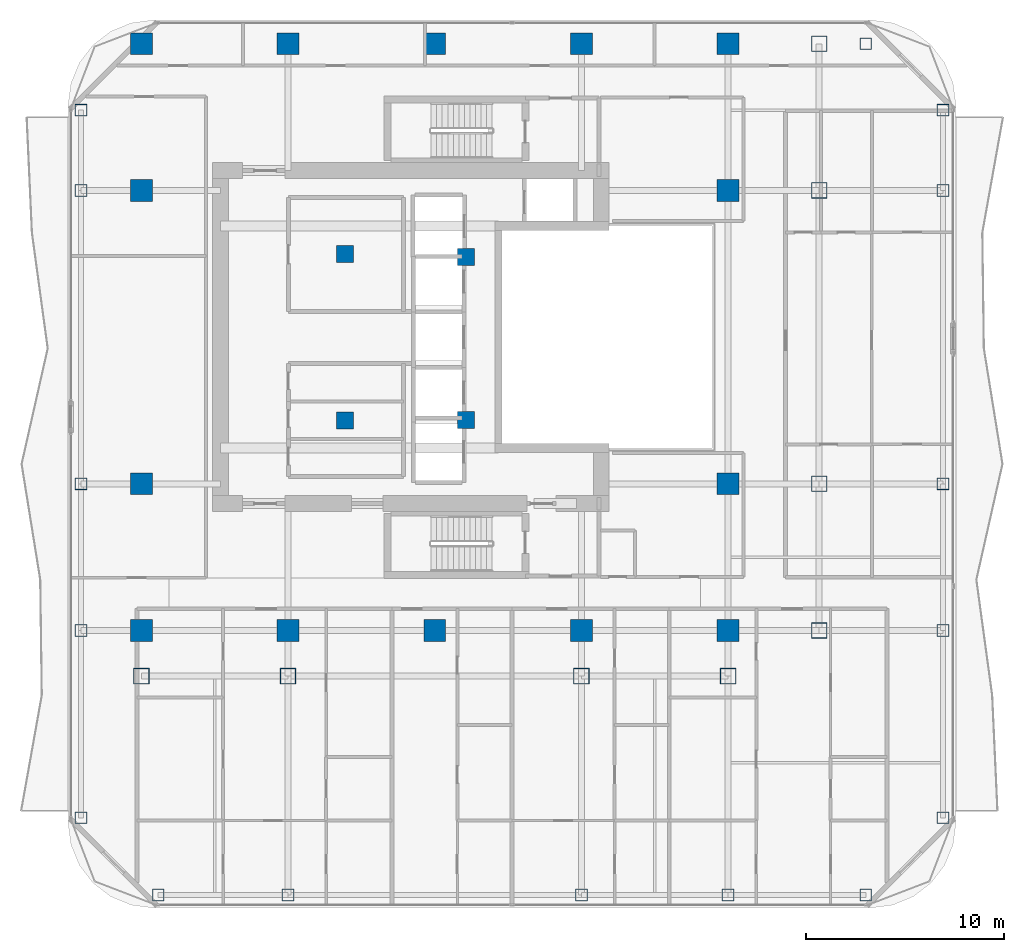
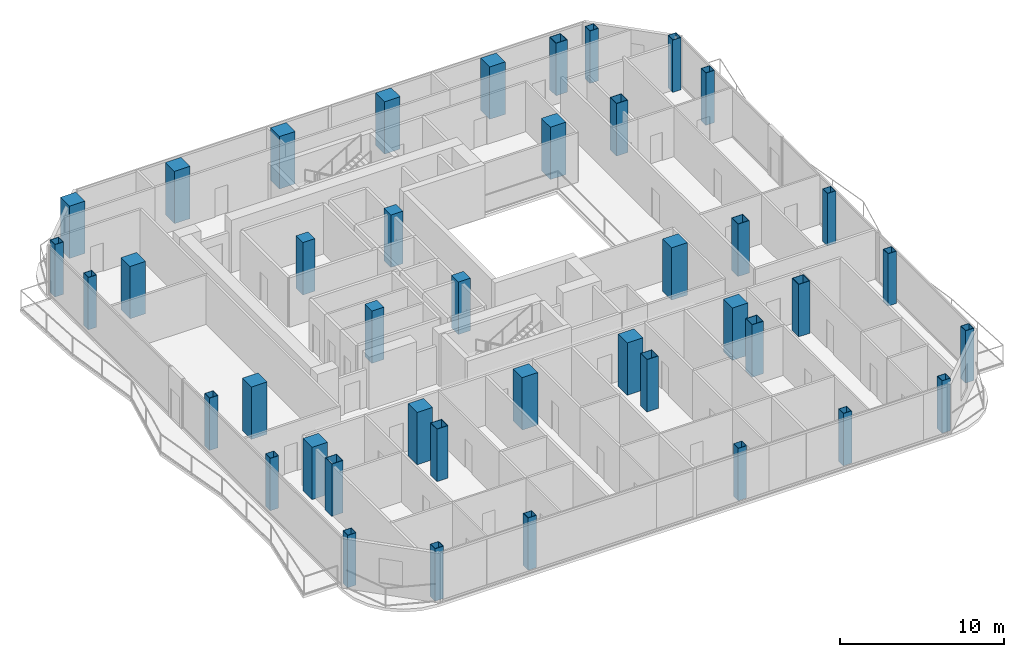
# One storey, part 1 of 26: 42 columns.
"""IFC4 building model written with IfcOpenShell, lengths in metres."""

from ifc_helpers import new_model, si_unit, direction, frame, origin, origin_2d, place, context, subcontext, project, spatial, rectangle, hollow_rectangle, extrude, material, material_profile, profile_set, type_object, element, save


model = new_model("IFC4")

# Units and contexts
model_context = context("Model", 3, precision=1e-05, world=origin(), true_north=direction((0.0, 1.0)))
body_context = subcontext(model_context, "Body", "Model", "MODEL_VIEW")
ifc_project = project(units=[si_unit("LENGTHUNIT", "METRE"), si_unit("AREAUNIT", "SQUARE_METRE"), si_unit("VOLUMEUNIT", "CUBIC_METRE"), si_unit("PLANEANGLEUNIT", "RADIAN"), si_unit("MASSUNIT", "GRAM", prefix="KILO")], contexts=[model_context])

# Site, building, storey
site_placement = place(None, origin())
site = spatial("IfcSite", under=ifc_project, at=site_placement, CompositionType="ELEMENT")
building_placement = place(site_placement, origin())
building = spatial("IfcBuilding", under=site, at=building_placement, Name="Khorvyn Point Tower", CompositionType="ELEMENT")
storey_placement = place(building_placement, frame((0.0, 0.0, 223.5)))
storey = spatial("IfcBuildingStorey", under=building, at=storey_placement, Name="L55", CompositionType="ELEMENT", Elevation=223.5)

# Columns
ifc_material_1 = material(Name="Concrete C40/50", Category="concrete")
ifc_material_profile_1 = material_profile(ifc_material_1, rectangle(XDim=0.85009765625, YDim=0.85009765625, at=origin_2d()))
ifc_profile_set_1 = profile_set([ifc_material_profile_1], Name="Concrete C40/50 RC850x850")
column_type_1 = type_object("IfcColumnType", Name="Concrete C40/50 Column RC850x850", PredefinedType="COLUMN", material=ifc_profile_set_1)
for number, where, z_axis, x_axis, name in (
    (1, (-4.52001953125, -4.199951171875, 0.0), (0.0, 0.0, 1.0), (1.0, 0.0, 0.0), "L55 Crown Core Spine Column 1"),
    (2, (1.580078125, -4.179931640625, 0.0), (0.0, 0.0, 1.0), (1.0, 0.0, 0.0), "L55 Crown Core Spine Column 2"),
    (3, (1.580078125, 4.050048828125, 0.0), (0.0, 0.0, 1.0), (1.0, 0.0, 0.0), "L55 Crown Core Spine Column 3"),
    (4, (-4.52001953125, 4.199951171875, 0.0), (0.0, 0.0, 1.0), (1.0, 0.0, 0.0), "L55 Crown Core Spine Column 4"),
):
    element("IfcColumn", number, at=place(storey_placement, frame(where, z_axis=z_axis, x_axis=x_axis)), inside=storey, type_object=column_type_1, Name=name, PredefinedType="COLUMN", context=body_context, shape_type="SweptSolid", body=[
        extrude(rectangle(XDim=0.85009765625, YDim=0.85009765625, at=origin_2d()), origin(), (0.0, 0.0, 1.0), 3.89990234375),
    ])
ifc_material_2 = material(Name="Concrete C45/55", Category="concrete")
ifc_material_profile_2 = material_profile(ifc_material_2, rectangle(XDim=1.10009765625, YDim=1.10009765625, at=origin_2d()))
ifc_profile_set_2 = profile_set([ifc_material_profile_2], Name="Concrete C45/55 RC1100x1100")
column_type_2 = type_object("IfcColumnType", Name="Concrete C45/55 Column RC1100x1100", PredefinedType="COLUMN", material=ifc_profile_set_2)
for number, where, z_axis, x_axis, name in (
    (5, (-14.800048828125, -14.800048828125, 0.0), (0.0, 0.0, 1.0), (1.0, 0.0, 0.0), "L55 Mega-Column MC-01"),
    (6, (-7.39990234375, -14.800048828125, 0.0), (0.0, 0.0, 1.0), (1.0, 0.0, 0.0), "L55 Mega-Column MC-02"),
    (7, (0.0, -14.800048828125, 0.0), (0.0, 0.0, 1.0), (1.0, 0.0, 0.0), "L55 Mega-Column MC-03"),
    (8, (7.39990234375, -14.800048828125, 0.0), (0.0, 0.0, 1.0), (1.0, 0.0, 0.0), "L55 Mega-Column MC-04"),
    (9, (14.800048828125, -14.800048828125, 0.0), (0.0, 0.0, 1.0), (1.0, 0.0, 0.0), "L55 Mega-Column MC-05"),
    (10, (-14.800048828125, 14.800048828125, 0.0), (0.0, 0.0, 1.0), (1.0, 0.0, 0.0), "L55 Mega-Column MC-06"),
    (11, (-7.39990234375, 14.800048828125, 0.0), (0.0, 0.0, 1.0), (1.0, 0.0, 0.0), "L55 Mega-Column MC-07"),
    (12, (0.0, 14.800048828125, 0.0), (0.0, 0.0, 1.0), (1.0, 0.0, 0.0), "L55 Mega-Column MC-08"),
    (13, (7.39990234375, 14.800048828125, 0.0), (0.0, 0.0, 1.0), (1.0, 0.0, 0.0), "L55 Mega-Column MC-09"),
    (14, (14.800048828125, 14.800048828125, 0.0), (0.0, 0.0, 1.0), (1.0, 0.0, 0.0), "L55 Mega-Column MC-10"),
    (15, (-14.800048828125, -7.39990234375, 0.0), (0.0, 0.0, 1.0), (1.0, 0.0, 0.0), "L55 Mega-Column MC-11"),
    (16, (-14.800048828125, 7.39990234375, 0.0), (0.0, 0.0, 1.0), (1.0, 0.0, 0.0), "L55 Mega-Column MC-12"),
    (17, (14.800048828125, -7.39990234375, 0.0), (0.0, 0.0, 1.0), (1.0, 0.0, 0.0), "L55 Mega-Column MC-13"),
    (18, (14.800048828125, 7.39990234375, 0.0), (0.0, 0.0, 1.0), (1.0, 0.0, 0.0), "L55 Mega-Column MC-14"),
):
    element("IfcColumn", number, at=place(storey_placement, frame(where, z_axis=z_axis, x_axis=x_axis)), inside=storey, type_object=column_type_2, Name=name, PredefinedType="COLUMN", context=body_context, shape_type="SweptSolid", body=[
        extrude(rectangle(XDim=1.10009765625, YDim=1.10009765625, at=origin_2d()), origin(), (0.0, 0.0, 1.0), 3.89990234375),
    ])
ifc_material_3 = material(Name="Steel S450", Category="steel")
ifc_material_profile_3 = material_profile(ifc_material_3, hollow_rectangle(XDim=0.60009765625, YDim=0.60009765625, WallThickness=0.028076171875, at=origin_2d()))
ifc_profile_set_3 = profile_set([ifc_material_profile_3], Name="Steel S450 BOX600x600x28")
column_type_3 = type_object("IfcColumnType", Name="Steel S450 Structural Column BOX600x600x28", PredefinedType="COLUMN", material=ifc_profile_set_3)
for number, where, z_axis, x_axis, name in (
    (19, (-13.949951171875, -28.14990234375, 0.0), (0.0, 0.0, 1.0), (1.0, 0.0, 0.0), "L55 Perimeter Tube Column TC-01"),
    (20, (21.75, -28.14990234375, 0.0), (0.0, 0.0, 1.0), (1.0, 0.0, 0.0), "L55 Perimeter Tube Column TC-02"),
    (21, (21.75, 14.800048828125, 0.0), (0.0, 0.0, 1.0), (1.0, 0.0, 0.0), "L55 Perimeter Tube Column TC-03"),
    (22, (-17.85009765625, -24.25, 0.0), (0.0, 0.0, 1.0), (1.0, 0.0, 0.0), "L55 Perimeter Tube Column TC-04"),
    (23, (-17.85009765625, 11.449951171875, 0.0), (0.0, 0.0, 1.0), (1.0, 0.0, 0.0), "L55 Perimeter Tube Column TC-05"),
    (24, (25.64990234375, -24.25, 0.0), (0.0, 0.0, 1.0), (1.0, 0.0, 0.0), "L55 Perimeter Tube Column TC-06"),
    (25, (25.64990234375, 11.449951171875, 0.0), (0.0, 0.0, 1.0), (1.0, 0.0, 0.0), "L55 Perimeter Tube Column TC-07"),
    (26, (-7.39990234375, -28.14990234375, 0.0), (0.0, 0.0, 1.0), (1.0, 0.0, 0.0), "L55 Perimeter Tube Column TC-08"),
    (27, (7.39990234375, -28.14990234375, 0.0), (0.0, 0.0, 1.0), (1.0, 0.0, 0.0), "L55 Perimeter Tube Column TC-09"),
    (28, (14.800048828125, -28.14990234375, 0.0), (0.0, 0.0, 1.0), (1.0, 0.0, 0.0), "L55 Perimeter Tube Column TC-10"),
    (29, (-17.85009765625, -14.800048828125, 0.0), (0.0, 0.0, 1.0), (1.0, 0.0, 0.0), "L55 Perimeter Tube Column TC-11"),
    (30, (25.64990234375, -14.800048828125, 0.0), (0.0, 0.0, 1.0), (1.0, 0.0, 0.0), "L55 Perimeter Tube Column TC-12"),
    (31, (-17.85009765625, -7.39990234375, 0.0), (0.0, 0.0, 1.0), (1.0, 0.0, 0.0), "L55 Perimeter Tube Column TC-13"),
    (32, (25.64990234375, -7.39990234375, 0.0), (0.0, 0.0, 1.0), (1.0, 0.0, 0.0), "L55 Perimeter Tube Column TC-14"),
    (33, (-17.85009765625, 7.39990234375, 0.0), (0.0, 0.0, 1.0), (1.0, 0.0, 0.0), "L55 Perimeter Tube Column TC-15"),
    (34, (25.64990234375, 7.39990234375, 0.0), (0.0, 0.0, 1.0), (1.0, 0.0, 0.0), "L55 Perimeter Tube Column TC-16"),
):
    element("IfcColumn", number, at=place(storey_placement, frame(where, z_axis=z_axis, x_axis=x_axis)), inside=storey, type_object=column_type_3, Name=name, PredefinedType="COLUMN", context=body_context, shape_type="SweptSolid", body=[
        extrude(hollow_rectangle(XDim=0.60009765625, YDim=0.60009765625, WallThickness=0.028076171875, at=origin_2d()), origin(), (0.0, 0.0, 1.0), 3.89990234375),
    ])
ifc_material_profile_4 = material_profile(ifc_material_3, hollow_rectangle(XDim=0.800048828125, YDim=0.800048828125, WallThickness=0.035888671875, at=origin_2d()))
ifc_profile_set_4 = profile_set([ifc_material_profile_4], Name="Steel S450 BOX800x800x36")
column_type_4 = type_object("IfcColumnType", Name="Steel S450 Structural Column BOX800x800x36", PredefinedType="COLUMN", material=ifc_profile_set_4)
for number, where, z_axis, x_axis, name in (
    (35, (19.39990234375, -14.800048828125, 0.0), (0.0, 0.0, 1.0), (1.0, 0.0, 0.0), "L55 Intermediate Column ICE--14"),
    (36, (19.39990234375, -7.39990234375, 0.0), (0.0, 0.0, 1.0), (1.0, 0.0, 0.0), "L55 Intermediate Column ICE--7"),
    (37, (19.39990234375, 7.39990234375, 0.0), (0.0, 0.0, 1.0), (1.0, 0.0, 0.0), "L55 Intermediate Column ICE-7"),
    (38, (19.39990234375, 14.800048828125, 0.0), (0.0, 0.0, 1.0), (1.0, 0.0, 0.0), "L55 Intermediate Column ICE-14"),
    (39, (-14.800048828125, -17.10009765625, 0.0), (0.0, 0.0, 1.0), (1.0, 0.0, 0.0), "L55 Intermediate Column ICS--14"),
    (40, (-7.39990234375, -17.10009765625, 0.0), (0.0, 0.0, 1.0), (1.0, 0.0, 0.0), "L55 Intermediate Column ICS--7"),
    (41, (7.39990234375, -17.10009765625, 0.0), (0.0, 0.0, 1.0), (1.0, 0.0, 0.0), "L55 Intermediate Column ICS-7"),
    (42, (14.800048828125, -17.10009765625, 0.0), (0.0, 0.0, 1.0), (1.0, 0.0, 0.0), "L55 Intermediate Column ICS-14"),
):
    element("IfcColumn", number, at=place(storey_placement, frame(where, z_axis=z_axis, x_axis=x_axis)), inside=storey, type_object=column_type_4, Name=name, PredefinedType="COLUMN", context=body_context, shape_type="SweptSolid", body=[
        extrude(hollow_rectangle(XDim=0.800048828125, YDim=0.800048828125, WallThickness=0.035888671875, at=origin_2d()), origin(), (0.0, 0.0, 1.0), 3.89990234375),
    ])

save(model, "model.ifc")
